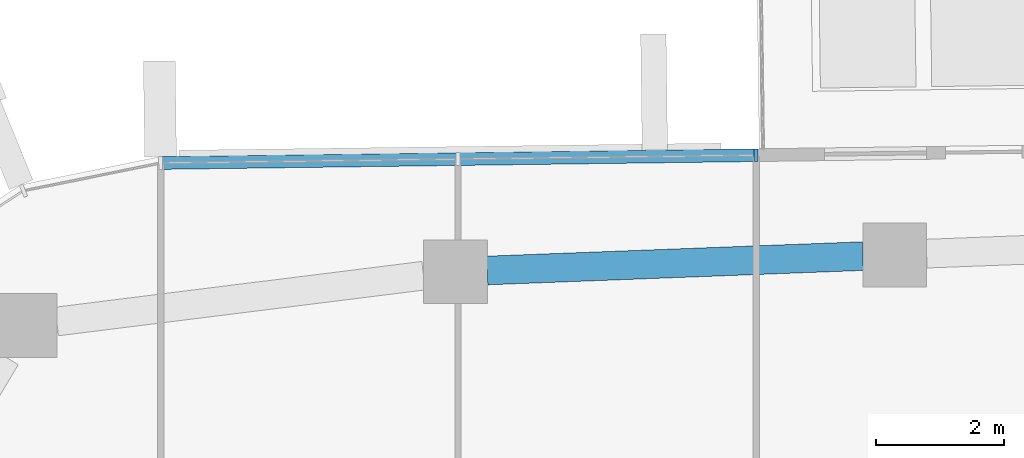
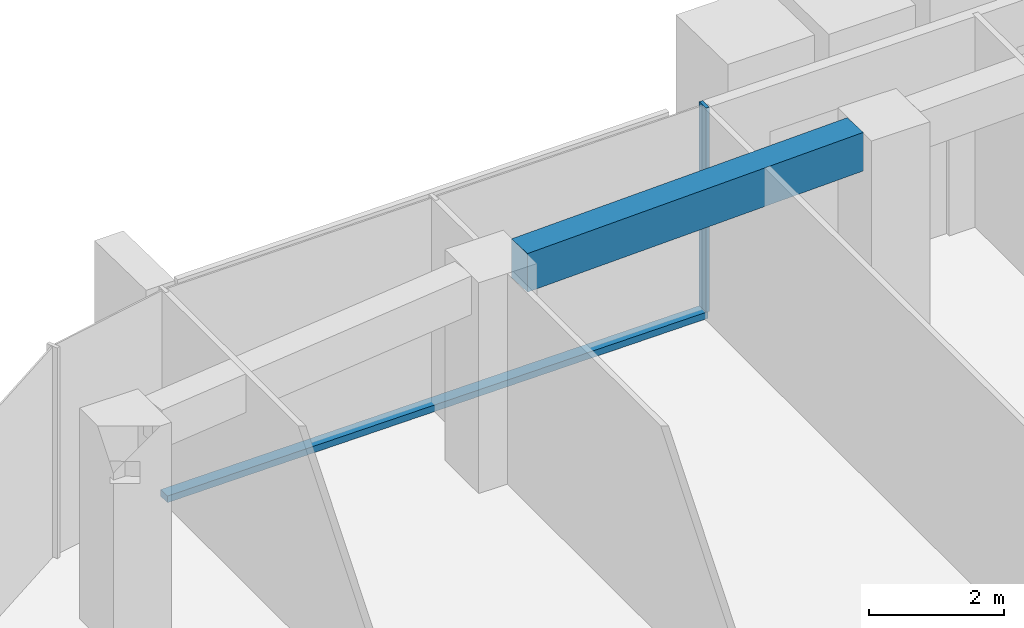
# One storey, part 7 of 24: 2 members, 1 beam, 1 element without a shape of its own.
"""IFC4 building model written with IfcOpenShell, lengths in metres."""

from ifc_helpers import new_model, si_unit, direction, frame, origin, origin_2d, place, context, subcontext, project, spatial, rectangle, extrude, material, layer, layer_set, material_profile, profile_set, type_object, element, aggregate, save


model = new_model("IFC4")

# Units and contexts
model_context = context("Model", 3, precision=1e-05, world=origin(), true_north=direction((0.0, 1.0)))
body_context = subcontext(model_context, "Body", "Model", "MODEL_VIEW")
ifc_project = project(units=[si_unit("LENGTHUNIT", "METRE"), si_unit("AREAUNIT", "SQUARE_METRE"), si_unit("VOLUMEUNIT", "CUBIC_METRE"), si_unit("PLANEANGLEUNIT", "RADIAN"), si_unit("MASSUNIT", "GRAM", prefix="KILO")], contexts=[model_context])

# Site, building, storey
site_placement = place(None, origin())
site = spatial("IfcSite", under=ifc_project, at=site_placement, CompositionType="ELEMENT")
building_placement = place(site_placement, origin())
building = spatial("IfcBuilding", under=site, at=building_placement, Name="Dongbaek Canopy Tower", CompositionType="ELEMENT")
storey_placement = place(building_placement, frame((0.0, 0.0, 332.0)))
storey = spatial("IfcBuildingStorey", under=building, at=storey_placement, Name="L71", CompositionType="ELEMENT", Elevation=332.0)

# Curtain wall, members
ifc_material_1 = material(Name="Aluminium 6063-T6 pale anodised", Category="aluminium")
ifc_layer = layer(ifc_material_1, 0.199951171875)
ifc_layer_set = layer_set([ifc_layer], Name="CW-1 unitised tower curtain wall")
curtain_wall_type = type_object("IfcCurtainWallType", Name="CW-1 unitised tower curtain wall", PredefinedType="NOTDEFINED", material=ifc_layer_set)
curtain_wall_placement = place(storey_placement, origin())
curtain_wall = element("IfcCurtainWall", 1, at=curtain_wall_placement, inside=storey, type_object=curtain_wall_type, Name="CW-1 curtain wall F1.1", PredefinedType="NOTDEFINED")
ifc_material_2 = material(Name="Aluminium 6063-T6 pale anodised", Category="aluminium")
ifc_material_profile_1 = material_profile(ifc_material_2, rectangle(XDim=0.199951171875, YDim=0.06005859375, at=origin_2d()), Name="CW-1 mullion 60 x 200")
ifc_profile_set_1 = profile_set([ifc_material_profile_1], Name="Aluminium 6063-T6 pale anodised")
member_type_1 = type_object("IfcMemberType", Name="CW-1 mullion 60 x 200", PredefinedType="MULLION", material=ifc_profile_set_1)
member_1_placement = place(storey_placement, frame((-3.593505859375, 28.991943359375, 0.1201171875), z_axis=(0.0, 0.0, 1.0), x_axis=(-0.013165315653, 0.999913333476, 0.0)))
member_1 = element("IfcMember", 2, at=member_1_placement, type_object=member_type_1, Name="CW-1 mullion F1.1.1", PredefinedType="MULLION", context=body_context, shape_type="SweptSolid", body=[
    extrude(rectangle(XDim=0.199951171875, YDim=0.06005859375, at=origin_2d()), origin(), (0.0, 0.0, 1.0), 3.699951171875),
])
ifc_material_3 = material(Name="Aluminium 6063-T6 pale anodised", Category="aluminium")
ifc_material_profile_2 = material_profile(ifc_material_3, rectangle(XDim=0.199951171875, YDim=0.1201171875, at=origin_2d()), Name="CW-1 transom 120 x 200")
ifc_profile_set_2 = profile_set([ifc_material_profile_2], Name="Aluminium 6063-T6 pale anodised")
member_type_2 = type_object("IfcMemberType", Name="CW-1 transom 120 x 200", PredefinedType="USERDEFINED", material=ifc_profile_set_2)
member_2_placement = place(storey_placement, frame((-3.593505859375, 28.991943359375, 0.06005859375), z_axis=(-0.999913210689, -0.013174638141, 0.0), x_axis=(0.013174638141, -0.999913210689, 0.0)))
member_2 = element("IfcMember", 3, at=member_2_placement, type_object=member_type_2, Name="CW-1 transom F1.1.1", ObjectType="TRANSOM", PredefinedType="USERDEFINED", context=body_context, shape_type="SweptSolid", body=[
    extrude(rectangle(XDim=0.199951171875, YDim=0.1201171875, at=origin_2d()), origin(), (0.0, 0.0, 1.0), 9.339599609375),
])
aggregate(curtain_wall, [member_1, member_2])

# Beam
ifc_material_4 = material(Name="Concrete C60", Category="concrete")
ifc_material_profile_3 = material_profile(ifc_material_4, rectangle(XDim=0.449951171875, YDim=0.699951171875, at=origin_2d()), Name="RC EDGE BEAM 450x700 C60")
ifc_profile_set_3 = profile_set([ifc_material_profile_3], Name="Concrete C60")
beam_type = type_object("IfcBeamType", Name="RC EDGE BEAM 450x700 C60", PredefinedType="BEAM", material=ifc_profile_set_3)
beam_placement = place(storey_placement, frame((-7.80908203125, 27.18310546875, 3.469970703125), z_axis=(0.999267644391, 0.038264538061, 0.0), x_axis=(-0.038264538061, 0.999267644391, 0.0)))
element("IfcBeam", 4, at=beam_placement, inside=storey, type_object=beam_type, Name="EDGEBEAM:L71:14", PredefinedType="BEAM", context=body_context, shape_type="SweptSolid", body=[
    extrude(rectangle(XDim=0.449951171875, YDim=0.699951171875, at=origin_2d()), origin(), (0.0, 0.0, 1.0), 5.8955078125),
])

save(model, "model.ifc")
